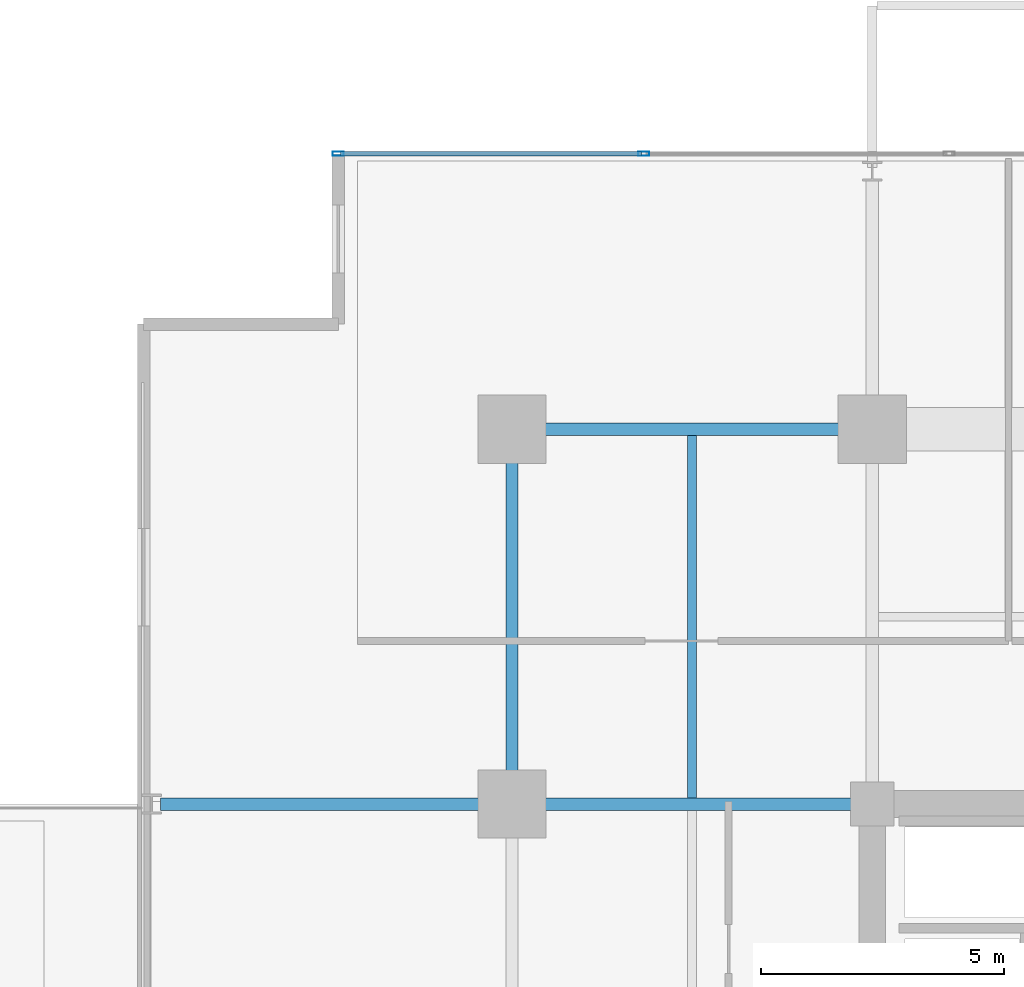
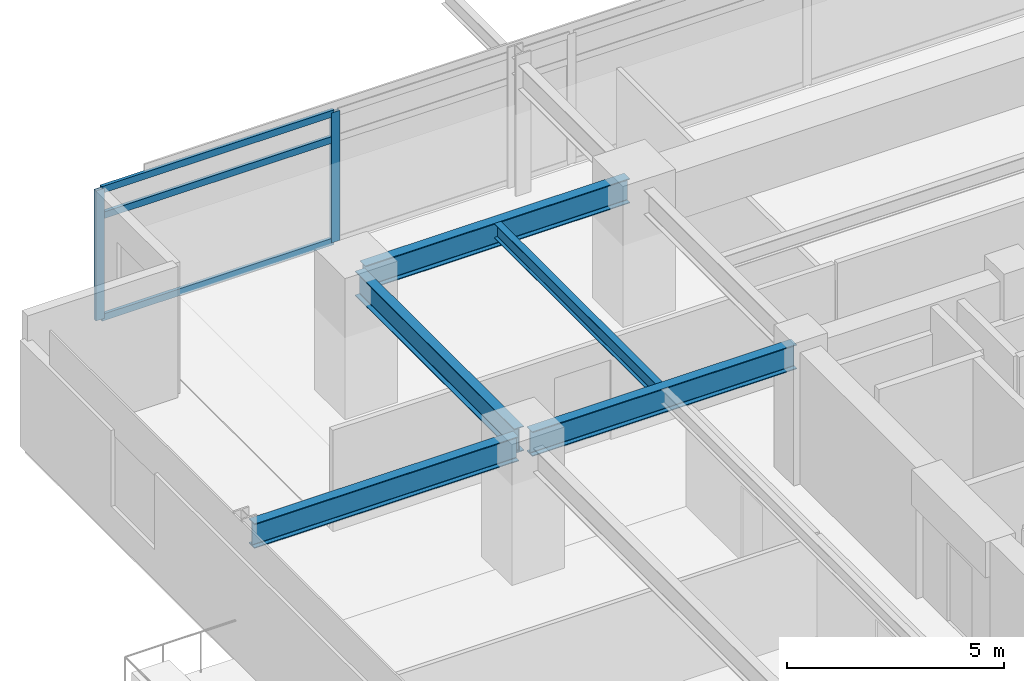
# One storey, part 5 of 22: 5 beams, 5 members, 1 element without a shape of its own.
"""IFC4 building model written with IfcOpenShell, lengths in metres."""

from ifc_helpers import new_model, si_unit, direction, frame, origin, origin_2d, place, context, subcontext, project, spatial, hollow_rectangle, i_section, extrude, material, material_profile, profile_set, type_object, element, aggregate, save


model = new_model("IFC4")

# Units and contexts
model_context = context("Model", 3, precision=1e-05, world=origin(), true_north=direction((0.0, 1.0)))
body_context = subcontext(model_context, "Body", "Model", "MODEL_VIEW")
ifc_project = project(units=[si_unit("LENGTHUNIT", "METRE"), si_unit("AREAUNIT", "SQUARE_METRE"), si_unit("VOLUMEUNIT", "CUBIC_METRE"), si_unit("PLANEANGLEUNIT", "RADIAN"), si_unit("MASSUNIT", "GRAM", prefix="KILO")], contexts=[model_context])

# Site, building, storey
site_placement = place(None, origin())
site = spatial("IfcSite", under=ifc_project, at=site_placement, CompositionType="ELEMENT")
building_placement = place(site_placement, origin())
building = spatial("IfcBuilding", under=site, at=building_placement, Name="Kovane Verandah Tower", CompositionType="ELEMENT")
storey_placement = place(building_placement, frame((0.0, 0.0, 229.199951171875)))
storey = spatial("IfcBuildingStorey", under=building, at=storey_placement, Name="L53", CompositionType="ELEMENT", Elevation=229.199951171875)

# Beams
ifc_material_1 = material(Name="Steel S355", Category="steel")
ifc_material_profile_1 = material_profile(ifc_material_1, i_section(OverallWidth=0.255859375, OverallDepth=0.69287109375, WebThickness=0.014404296875, FlangeThickness=0.023681640625, FilletRadius=0.01513671875, at=origin_2d()), Name="UB686x254x170")
ifc_profile_set_1 = profile_set([ifc_material_profile_1], Name="Steel S355")
beam_type_1 = type_object("IfcBeamType", Name="BM-UB686x170", PredefinedType="BEAM", material=ifc_profile_set_1)
beam_1_placement = place(storey_placement, frame((21.780029296875, 44.199951171875, 3.353759765625), z_axis=(1.0, 0.0, 0.0), x_axis=(0.0, 1.0, 0.0)))
element("IfcBeam", 1, at=beam_1_placement, inside=storey, type_object=beam_type_1, Name="L53 Primary Tower Girder G-RN1", PredefinedType="BEAM", context=body_context, shape_type="SweptSolid", body=[
    extrude(i_section(OverallWidth=0.255859375, OverallDepth=0.69287109375, WebThickness=0.014404296875, FlangeThickness=0.023681640625, FilletRadius=0.01513671875, at=origin_2d()), origin(), (0.0, 0.0, 1.0), 7.0400390625),
])
beam_2_placement = place(storey_placement, frame((21.60009765625, 36.679931640625, 3.353759765625), z_axis=(0.0, 1.0, 0.0), x_axis=(-1.0, 0.0, 0.0)))
element("IfcBeam", 2, at=beam_2_placement, inside=storey, type_object=beam_type_1, Name="L53 Primary Tower Girder G-RW3", PredefinedType="BEAM", context=body_context, shape_type="SweptSolid", body=[
    extrude(i_section(OverallWidth=0.255859375, OverallDepth=0.69287109375, WebThickness=0.014404296875, FlangeThickness=0.023681640625, FilletRadius=0.01513671875, at=origin_2d()), origin(), (0.0, 0.0, 1.0), 7.340087890625),
])
for number, where, z_axis, x_axis, name in (
    (3, (28.820068359375, 36.5, 3.353759765625), (-1.0, 0.0, 0.0), (0.0, -1.0, 0.0), "L53 Primary Tower Girder G-W2"),
    (4, (21.419921875, 36.5, 3.353759765625), (-1.0, 0.0, 0.0), (0.0, -1.0, 0.0), "L53 Primary Tower Girder G-VW2"),
):
    element("IfcBeam", number, at=place(storey_placement, frame(where, z_axis=z_axis, x_axis=x_axis)), inside=storey, type_object=beam_type_1, Name=name, PredefinedType="BEAM", context=body_context, shape_type="SweptSolid", body=[
        extrude(i_section(OverallWidth=0.255859375, OverallDepth=0.69287109375, WebThickness=0.014404296875, FlangeThickness=0.023681640625, FilletRadius=0.01513671875, at=origin_2d()), origin(), (0.0, 0.0, 1.0), 7.0400390625),
    ])

# Curtain wall, members
ifc_material_2 = material(Name="Champagne Anodised Aluminium Frame with Low-E Clear Laminated Glass", Category="aluminium")
curtain_wall_type = type_object("IfcCurtainWallType", Name="CW-SYS-03-MID", PredefinedType="NOTDEFINED", material=ifc_material_2)
curtain_wall_placement = place(storey_placement, origin())
curtain_wall = element("IfcCurtainWall", 5, at=curtain_wall_placement, inside=storey, type_object=curtain_wall_type, Name="L53 N Unitised Curtain Wall", PredefinedType="NOTDEFINED")
ifc_material_3 = material(Name="Champagne Anodised Aluminium 6063-T6", Category="aluminium")
ifc_material_profile_2 = material_profile(ifc_material_3, hollow_rectangle(XDim=0.0849609375, YDim=0.22998046875, WallThickness=0.00390625, at=origin_2d()), Name="AL85x230x4")
ifc_profile_set_2 = profile_set([ifc_material_profile_2], Name="Champagne Anodised Aluminium 6063-T6")
member_type_1 = type_object("IfcMemberType", Name="CW-MUL-85x230", PredefinedType="MULLION", material=ifc_profile_set_2)
member_1_placement = place(storey_placement, frame((24.3076171875, 49.860107421875, 0.02001953125), z_axis=(0.0, 0.0, 1.0), x_axis=(0.0, 1.0, 0.0)))
member_1 = element("IfcMember", 6, at=member_1_placement, type_object=member_type_1, Name="L53 N Unitised Curtain Wall Mullion 7", PredefinedType="MULLION", context=body_context, shape_type="SweptSolid", body=[
    extrude(hollow_rectangle(XDim=0.0849609375, YDim=0.22998046875, WallThickness=0.00390625, at=origin_2d()), origin(), (0.0, 0.0, 1.0), 3.659912109375),
])
member_2_placement = place(storey_placement, frame((18.03076171875, 49.860107421875, 0.02001953125), z_axis=(0.0, 0.0, 1.0), x_axis=(0.0, 1.0, 0.0)))
member_2 = element("IfcMember", 7, at=member_2_placement, type_object=member_type_1, Name="L53 N Unitised Curtain Wall Mullion 8", PredefinedType="MULLION", context=body_context, shape_type="SweptSolid", body=[
    extrude(hollow_rectangle(XDim=0.0849609375, YDim=0.22998046875, WallThickness=0.00390625, at=origin_2d()), origin(), (0.0, 0.0, 1.0), 3.659912109375),
])
ifc_material_profile_3 = material_profile(ifc_material_3, hollow_rectangle(XDim=0.0849609375, YDim=0.18994140625, WallThickness=0.00390625, at=origin_2d()), Name="AL85x190x4")
ifc_profile_set_3 = profile_set([ifc_material_profile_3], Name="Champagne Anodised Aluminium 6063-T6")
member_type_2 = type_object("IfcMemberType", Name="CW-TRN-85x190", PredefinedType="USERDEFINED", material=ifc_profile_set_3)
member_3_placement = place(storey_placement, frame((24.257568359375, 49.860107421875, 0.050048828125), z_axis=(-1.0, 0.0, 0.0), x_axis=(0.0, -1.0, 0.0)))
member_3 = element("IfcMember", 8, at=member_3_placement, type_object=member_type_2, Name="L53 N Unitised Curtain Wall Transom TB Bay 7", ObjectType="TRANSOM", PredefinedType="USERDEFINED", context=body_context, shape_type="SweptSolid", body=[
    extrude(hollow_rectangle(XDim=0.0849609375, YDim=0.18994140625, WallThickness=0.00390625, at=origin_2d()), origin(), (0.0, 0.0, 1.0), 6.1767578125),
])
member_4_placement = place(storey_placement, frame((24.257568359375, 49.860107421875, 2.920166015625), z_axis=(-1.0, 0.0, 0.0), x_axis=(0.0, -1.0, 0.0)))
member_4 = element("IfcMember", 9, at=member_4_placement, type_object=member_type_2, Name="L53 N Unitised Curtain Wall Transom TM Bay 7", ObjectType="TRANSOM", PredefinedType="USERDEFINED", context=body_context, shape_type="SweptSolid", body=[
    extrude(hollow_rectangle(XDim=0.0849609375, YDim=0.18994140625, WallThickness=0.00390625, at=origin_2d()), origin(), (0.0, 0.0, 1.0), 6.1767578125),
])
member_5_placement = place(storey_placement, frame((24.257568359375, 49.860107421875, 3.650146484375), z_axis=(-1.0, 0.0, 0.0), x_axis=(0.0, -1.0, 0.0)))
member_5 = element("IfcMember", 10, at=member_5_placement, type_object=member_type_2, Name="L53 N Unitised Curtain Wall Transom TT Bay 7", ObjectType="TRANSOM", PredefinedType="USERDEFINED", context=body_context, shape_type="SweptSolid", body=[
    extrude(hollow_rectangle(XDim=0.0849609375, YDim=0.18994140625, WallThickness=0.00390625, at=origin_2d()), origin(), (0.0, 0.0, 1.0), 6.1767578125),
])
aggregate(curtain_wall, [member_1, member_2, member_3, member_4, member_5])

# Beam
ifc_material_profile_4 = material_profile(ifc_material_1, i_section(OverallWidth=0.179443359375, OverallDepth=0.412841796875, WebThickness=0.009521484375, FlangeThickness=0.01611328125, FilletRadius=0.01025390625, at=origin_2d()), Name="UB406x178x74")
ifc_profile_set_4 = profile_set([ifc_material_profile_4], Name="Steel S355")
beam_type_2 = type_object("IfcBeamType", Name="JST-UB406x74", PredefinedType="JOIST", material=ifc_profile_set_4)
beam_3_placement = place(storey_placement, frame((25.300048828125, 36.6259765625, 3.49365234375), z_axis=(0.0, 1.0, 0.0), x_axis=(-1.0, 0.0, 0.0)))
element("IfcBeam", 11, at=beam_3_placement, inside=storey, type_object=beam_type_2, Name="L53 Secondary Composite Joist J-NW1", PredefinedType="JOIST", context=body_context, shape_type="SweptSolid", body=[
    extrude(i_section(OverallWidth=0.179443359375, OverallDepth=0.412841796875, WebThickness=0.009521484375, FlangeThickness=0.01611328125, FilletRadius=0.01025390625, at=origin_2d()), origin(), (0.0, 0.0, 1.0), 7.4482421875),
])

save(model, "model.ifc")
